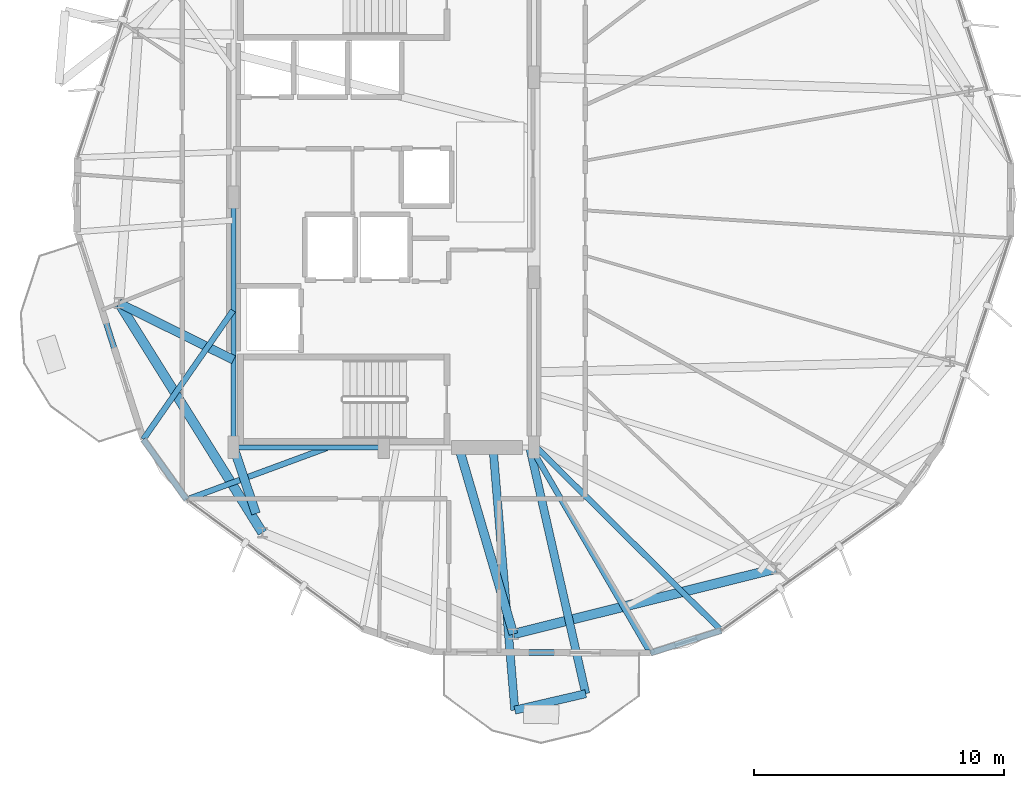
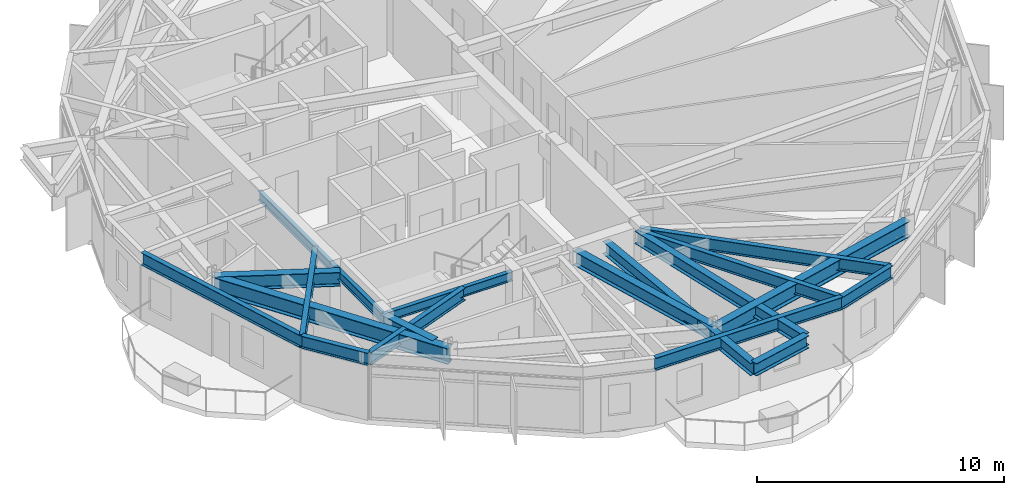
# One storey, part 3 of 24: 18 beams.
"""IFC4 building model written with IfcOpenShell, lengths in metres."""

from ifc_helpers import new_model, si_unit, direction, frame, origin, origin_2d, place, context, subcontext, project, spatial, i_section, extrude, material, material_profile, profile_set, type_object, element, save


model = new_model("IFC4")

# Units and contexts
model_context = context("Model", 3, precision=1e-05, world=origin(), true_north=direction((0.0, 1.0)))
body_context = subcontext(model_context, "Body", "Model", "MODEL_VIEW")
ifc_project = project(units=[si_unit("LENGTHUNIT", "METRE"), si_unit("AREAUNIT", "SQUARE_METRE"), si_unit("VOLUMEUNIT", "CUBIC_METRE"), si_unit("PLANEANGLEUNIT", "RADIAN"), si_unit("MASSUNIT", "GRAM", prefix="KILO")], contexts=[model_context])

# Site, building, storey
site_placement = place(None, origin())
site = spatial("IfcSite", under=ifc_project, at=site_placement, CompositionType="ELEMENT")
building_placement = place(site_placement, origin())
building = spatial("IfcBuilding", under=site, at=building_placement, Name="Soratama Intermodal Tower", CompositionType="ELEMENT")
storey_placement = place(building_placement, frame((0.0, 0.0, 164.199951171875)))
storey = spatial("IfcBuildingStorey", under=building, at=storey_placement, Name="L40", CompositionType="ELEMENT", Elevation=164.199951171875)

# Beams
ifc_material_1 = material(Name="Structural steel ASTM A992 Grade 50", Category="steel")
ifc_material_profile_1 = material_profile(ifc_material_1, i_section(OverallWidth=0.324951171875, OverallDepth=0.615966796875, WebThickness=0.013916015625, FlangeThickness=0.021484375, FilletRadius=0.013916015625, at=origin_2d()), Name="W24X117")
ifc_profile_set_1 = profile_set([ifc_material_profile_1], Name="Structural steel ASTM A992 Grade 50")
beam_type_1 = type_object("IfcBeamType", Name="BM-CANT-W24X117", PredefinedType="BEAM", material=ifc_profile_set_1)
beam_1_placement = place(storey_placement, frame((43.8369140625, 4.5048828125, 2.991943359375), z_axis=(0.974130210171, 0.225987463442, 0.0), x_axis=(-0.225987463442, 0.974130210171, 0.0)))
element("IfcBeam", 1, at=beam_1_placement, inside=storey, type_object=beam_type_1, Name="BM-L40-CBHDR-3", PredefinedType="BEAM", context=body_context, shape_type="SweptSolid", body=[
    extrude(i_section(OverallWidth=0.324951171875, OverallDepth=0.615966796875, WebThickness=0.013916015625, FlangeThickness=0.021484375, FilletRadius=0.013916015625, at=origin_2d()), origin(), (0.0, 0.0, 1.0), 2.908203125),
])
beam_2_placement = place(storey_placement, frame((42.968017578125, 14.9599609375, 2.991943359375), z_axis=(0.082822074587, -0.996564350136, 0.0), x_axis=(0.996564350136, 0.082822074587, 0.0)))
element("IfcBeam", 2, at=beam_2_placement, inside=storey, type_object=beam_type_1, Name="BM-L40-CANT-3-1", PredefinedType="BEAM", context=body_context, shape_type="SweptSolid", body=[
    extrude(i_section(OverallWidth=0.324951171875, OverallDepth=0.615966796875, WebThickness=0.013916015625, FlangeThickness=0.021484375, FilletRadius=0.013916015625, at=origin_2d()), origin(), (0.0, 0.0, 1.0), 10.4912109375),
])
beam_3_placement = place(storey_placement, frame((44.44189453125, 14.9609375, 2.991943359375), z_axis=(0.221717710402, -0.975110894665, 0.0), x_axis=(0.975110894665, 0.221717710402, 0.0)))
element("IfcBeam", 3, at=beam_3_placement, inside=storey, type_object=beam_type_1, Name="BM-L40-CANT-3-2", PredefinedType="BEAM", context=body_context, shape_type="SweptSolid", body=[
    extrude(i_section(OverallWidth=0.324951171875, OverallDepth=0.615966796875, WebThickness=0.013916015625, FlangeThickness=0.021484375, FilletRadius=0.013916015625, at=origin_2d()), origin(), (0.0, 0.0, 1.0), 10.048828125),
])
ifc_material_2 = material(Name="Structural steel ASTM A992 Grade 50", Category="steel")
ifc_material_profile_2 = material_profile(ifc_material_2, i_section(OverallWidth=0.19091796875, OverallDepth=0.4599609375, WebThickness=0.010009765625, FlangeThickness=0.01611328125, FilletRadius=0.010986328125, at=origin_2d()), Name="W18X55")
ifc_profile_set_2 = profile_set([ifc_material_profile_2], Name="Structural steel ASTM A992 Grade 50")
beam_type_2 = type_object("IfcBeamType", Name="BM-FLR-W18X55", PredefinedType="BEAM", material=ifc_profile_set_2)
beam_4_placement = place(storey_placement, frame((32.60009765625, 15.0, 3.070068359375), z_axis=(1.0, 0.0, 0.0), x_axis=(0.0, 1.0, 0.0)))
element("IfcBeam", 4, at=beam_4_placement, inside=storey, type_object=beam_type_2, Name="BM-L40-CRING-01", PredefinedType="BEAM", context=body_context, shape_type="SweptSolid", body=[
    extrude(i_section(OverallWidth=0.19091796875, OverallDepth=0.4599609375, WebThickness=0.010009765625, FlangeThickness=0.01611328125, FilletRadius=0.010986328125, at=origin_2d()), origin(), (0.0, 0.0, 1.0), 6.0),
])
beam_5_placement = place(storey_placement, frame((32.60009765625, 25.0, 3.070068359375), z_axis=(0.0, -1.0, 0.0), x_axis=(1.0, 0.0, 0.0)))
element("IfcBeam", 5, at=beam_5_placement, inside=storey, type_object=beam_type_2, Name="BM-L40-CRING-09", PredefinedType="BEAM", context=body_context, shape_type="SweptSolid", body=[
    extrude(i_section(OverallWidth=0.19091796875, OverallDepth=0.4599609375, WebThickness=0.010009765625, FlangeThickness=0.01611328125, FilletRadius=0.010986328125, at=origin_2d()), origin(), (0.0, 0.0, 1.0), 10.0),
])
ifc_material_3 = material(Name="Structural steel ASTM A992 Grade 50", Category="steel")
ifc_material_profile_3 = material_profile(ifc_material_3, i_section(OverallWidth=0.35498046875, OverallDepth=0.695068359375, WebThickness=0.015380859375, FlangeThickness=0.02490234375, FilletRadius=0.01611328125, at=origin_2d()), Name="W27X146")
ifc_profile_set_3 = profile_set([ifc_material_profile_3], Name="Structural steel ASTM A992 Grade 50")
beam_type_3 = type_object("IfcBeamType", Name="BM-RING-W27X146", PredefinedType="BEAM", material=ifc_profile_set_3)
beam_6_placement = place(storey_placement, frame((32.60009765625, 18.5, 2.95263671875), z_axis=(-0.89629219718, 0.443463975172, 0.0), x_axis=(-0.443463975172, -0.89629219718, 0.0)))
element("IfcBeam", 6, at=beam_6_placement, inside=storey, type_object=beam_type_3, Name="BM-L40-RAD-06", PredefinedType="BEAM", context=body_context, shape_type="SweptSolid", body=[
    extrude(i_section(OverallWidth=0.35498046875, OverallDepth=0.695068359375, WebThickness=0.015380859375, FlangeThickness=0.02490234375, FilletRadius=0.01611328125, at=origin_2d()), origin(), (0.0, 0.0, 1.0), 5.110107421875),
])
beam_7_placement = place(storey_placement, frame((32.60009765625, 15.0, 2.95263671875), z_axis=(0.32013816754, -0.947370863856, 0.0), x_axis=(0.947370863856, 0.32013816754, 0.0)))
element("IfcBeam", 7, at=beam_7_placement, inside=storey, type_object=beam_type_3, Name="BM-L40-RAD-07", PredefinedType="BEAM", context=body_context, shape_type="SweptSolid", body=[
    extrude(i_section(OverallWidth=0.35498046875, OverallDepth=0.695068359375, WebThickness=0.015380859375, FlangeThickness=0.02490234375, FilletRadius=0.01611328125, at=origin_2d()), origin(), (0.0, 0.0, 1.0), 2.788818359375),
])
beam_8_placement = place(storey_placement, frame((41.60009765625, 15.0, 2.95263671875), z_axis=(0.280473008484, -0.959861912731, 0.0), x_axis=(0.959861912731, 0.280473008484, 0.0)))
element("IfcBeam", 8, at=beam_8_placement, inside=storey, type_object=beam_type_3, Name="BM-L40-RAD-08", PredefinedType="BEAM", context=body_context, shape_type="SweptSolid", body=[
    extrude(i_section(OverallWidth=0.35498046875, OverallDepth=0.695068359375, WebThickness=0.015380859375, FlangeThickness=0.02490234375, FilletRadius=0.01611328125, at=origin_2d()), origin(), (0.0, 0.0, 1.0), 7.768798828125),
])
ifc_material_4 = material(Name="Structural steel ASTM A992 Grade 50", Category="steel")
ifc_material_profile_4 = material_profile(ifc_material_4, i_section(OverallWidth=0.382080078125, OverallDepth=0.779052734375, WebThickness=0.01806640625, FlangeThickness=0.030029296875, FilletRadius=0.01806640625, at=origin_2d()), Name="W30X191")
ifc_profile_set_4 = profile_set([ifc_material_profile_4], Name="Structural steel ASTM A992 Grade 50")
beam_type_4 = type_object("IfcBeamType", Name="BM-RING-W30X191", PredefinedType="BEAM", material=ifc_profile_set_4)
beam_9_placement = place(storey_placement, frame((28.02001953125, 20.76611328125, 2.91064453125), z_axis=(0.529891394359, -0.84806551055, 0.0), x_axis=(0.84806551055, 0.529891394359, 0.0)))
element("IfcBeam", 9, at=beam_9_placement, inside=storey, type_object=beam_type_4, Name="BM-L40-RING-06", PredefinedType="BEAM", context=body_context, shape_type="SweptSolid", body=[
    extrude(i_section(OverallWidth=0.382080078125, OverallDepth=0.779052734375, WebThickness=0.01806640625, FlangeThickness=0.030029296875, FilletRadius=0.01806640625, at=origin_2d()), origin(), (0.0, 0.0, 1.0), 10.8154296875),
])
beam_10_placement = place(storey_placement, frame((43.779052734375, 7.54296875, 2.91064453125), z_axis=(0.970310893227, 0.241861056155, 0.0), x_axis=(-0.241861056155, 0.970310893227, 0.0)))
element("IfcBeam", 10, at=beam_10_placement, inside=storey, type_object=beam_type_4, Name="BM-L40-RING-08", PredefinedType="BEAM", context=body_context, shape_type="SweptSolid", body=[
    extrude(i_section(OverallWidth=0.382080078125, OverallDepth=0.779052734375, WebThickness=0.01806640625, FlangeThickness=0.030029296875, FilletRadius=0.01806640625, at=origin_2d()), origin(), (0.0, 0.0, 1.0), 10.81591796875),
])
ifc_material_5 = material(Name="Structural steel ASTM A992 Grade 50", Category="steel")
ifc_material_profile_5 = material_profile(ifc_material_5, i_section(OverallWidth=0.22900390625, OverallDepth=0.612060546875, WebThickness=0.011962890625, FlangeThickness=0.01953125, FilletRadius=0.012939453125, at=origin_2d()), Name="W24X84")
ifc_profile_set_5 = profile_set([ifc_material_profile_5], Name="Structural steel ASTM A992 Grade 50")
beam_type_5 = type_object("IfcBeamType", Name="BM-SPN-W24X84", PredefinedType="SPANDREL", material=ifc_profile_set_5)
beam_11_placement = place(storey_placement, frame((26.345947265625, 23.614013671875, 2.994140625), z_axis=(0.304065093947, -0.952651257619, 0.0), x_axis=(0.952651257619, 0.304065093947, 0.0)))
element("IfcBeam", 11, at=beam_11_placement, inside=storey, type_object=beam_type_5, Name="BS-L40-F05", PredefinedType="SPANDREL", context=body_context, shape_type="SweptSolid", body=[
    extrude(i_section(OverallWidth=0.22900390625, OverallDepth=0.612060546875, WebThickness=0.011962890625, FlangeThickness=0.01953125, FilletRadius=0.012939453125, at=origin_2d()), origin(), (0.0, 0.0, 1.0), 8.7021484375),
])
beam_12_placement = place(storey_placement, frame((28.991943359375, 15.323974609375, 2.994140625), z_axis=(0.583532594191, -0.812089718884, 0.0), x_axis=(0.812089718884, 0.583532594191, 0.0)))
element("IfcBeam", 12, at=beam_12_placement, inside=storey, type_object=beam_type_5, Name="BS-L40-CRN05", PredefinedType="SPANDREL", context=body_context, shape_type="SweptSolid", body=[
    extrude(i_section(OverallWidth=0.22900390625, OverallDepth=0.612060546875, WebThickness=0.011962890625, FlangeThickness=0.01953125, FilletRadius=0.012939453125, at=origin_2d()), origin(), (0.0, 0.0, 1.0), 2.96630859375),
])
beam_13_placement = place(storey_placement, frame((40.552978515625, 6.8310546875, 2.994140625), z_axis=(0.999985945541, -0.005301765701, 0.0), x_axis=(0.005301765701, 0.999985945541, 0.0)))
element("IfcBeam", 13, at=beam_13_placement, inside=storey, type_object=beam_type_5, Name="BS-L40-F07", PredefinedType="SPANDREL", context=body_context, shape_type="SweptSolid", body=[
    extrude(i_section(OverallWidth=0.22900390625, OverallDepth=0.612060546875, WebThickness=0.011962890625, FlangeThickness=0.01953125, FilletRadius=0.012939453125, at=origin_2d()), origin(), (0.0, 0.0, 1.0), 8.703369140625),
])
beam_14_placement = place(storey_placement, frame((49.256103515625, 6.784912109375, 2.994140625), z_axis=(0.952638921156, 0.304103742002, 0.0), x_axis=(-0.304103742002, 0.952638921156, 0.0)))
element("IfcBeam", 14, at=beam_14_placement, inside=storey, type_object=beam_type_5, Name="BS-L40-CRN07", PredefinedType="SPANDREL", context=body_context, shape_type="SweptSolid", body=[
    extrude(i_section(OverallWidth=0.22900390625, OverallDepth=0.612060546875, WebThickness=0.011962890625, FlangeThickness=0.01953125, FilletRadius=0.012939453125, at=origin_2d()), origin(), (0.0, 0.0, 1.0), 2.96630859375),
])
ifc_material_6 = material(Name="Structural steel ASTM A992 Grade 50", Category="steel")
ifc_material_profile_6 = material_profile(ifc_material_6, i_section(OverallWidth=0.22900390625, OverallDepth=0.612060546875, WebThickness=0.011962890625, FlangeThickness=0.01953125, FilletRadius=0.012939453125, at=origin_2d()), Name="W24X84")
ifc_profile_set_6 = profile_set([ifc_material_profile_6], Name="Structural steel ASTM A992 Grade 50")
beam_type_6 = type_object("IfcBeamType", Name="BM-TIE-W24X84", PredefinedType="BEAM", material=ifc_profile_set_6)
beam_15_placement = place(storey_placement, frame((32.576904296875, 20.472900390625, 2.994140625), z_axis=(-0.571397357402, -0.820673540425, 0.0), x_axis=(0.820673540425, -0.571397357402, 0.0)))
element("IfcBeam", 15, at=beam_15_placement, inside=storey, type_object=beam_type_6, Name="BM-L40-TIE1-05", PredefinedType="BEAM", context=body_context, shape_type="SweptSolid", body=[
    extrude(i_section(OverallWidth=0.22900390625, OverallDepth=0.612060546875, WebThickness=0.011962890625, FlangeThickness=0.01953125, FilletRadius=0.012939453125, at=origin_2d()), origin(), (0.0, 0.0, 1.0), 6.27392578125),
])
beam_16_placement = place(storey_placement, frame((36.339111328125, 14.986083984375, 2.994140625), z_axis=(-0.938239319153, -0.345986965066, 0.0), x_axis=(0.345986965066, -0.938239319153, 0.0)))
element("IfcBeam", 16, at=beam_16_placement, inside=storey, type_object=beam_type_6, Name="BM-L40-TIE0-06", PredefinedType="BEAM", context=body_context, shape_type="SweptSolid", body=[
    extrude(i_section(OverallWidth=0.22900390625, OverallDepth=0.612060546875, WebThickness=0.011962890625, FlangeThickness=0.01953125, FilletRadius=0.012939453125, at=origin_2d()), origin(), (0.0, 0.0, 1.0), 5.98583984375),
])
beam_17_placement = place(storey_placement, frame((44.50390625, 14.965087890625, 2.994140625), z_axis=(0.50232663507, -0.86467794681, 0.0), x_axis=(0.86467794681, 0.50232663507, 0.0)))
element("IfcBeam", 17, at=beam_17_placement, inside=storey, type_object=beam_type_6, Name="BM-L40-TIE1-07", PredefinedType="BEAM", context=body_context, shape_type="SweptSolid", body=[
    extrude(i_section(OverallWidth=0.22900390625, OverallDepth=0.612060546875, WebThickness=0.011962890625, FlangeThickness=0.01953125, FilletRadius=0.012939453125, at=origin_2d()), origin(), (0.0, 0.0, 1.0), 9.46044921875),
])
beam_18_placement = place(storey_placement, frame((44.6279296875, 15.076904296875, 2.994140625), z_axis=(0.710158789157, -0.704041542938, 0.0), x_axis=(0.704041542938, 0.710158789157, 0.0)))
element("IfcBeam", 18, at=beam_18_placement, inside=storey, type_object=beam_type_6, Name="BM-L40-TIE0-08", PredefinedType="BEAM", context=body_context, shape_type="SweptSolid", body=[
    extrude(i_section(OverallWidth=0.22900390625, OverallDepth=0.612060546875, WebThickness=0.011962890625, FlangeThickness=0.01953125, FilletRadius=0.012939453125, at=origin_2d()), origin(), (0.0, 0.0, 1.0), 10.496337890625),
])

save(model, "model.ifc")
